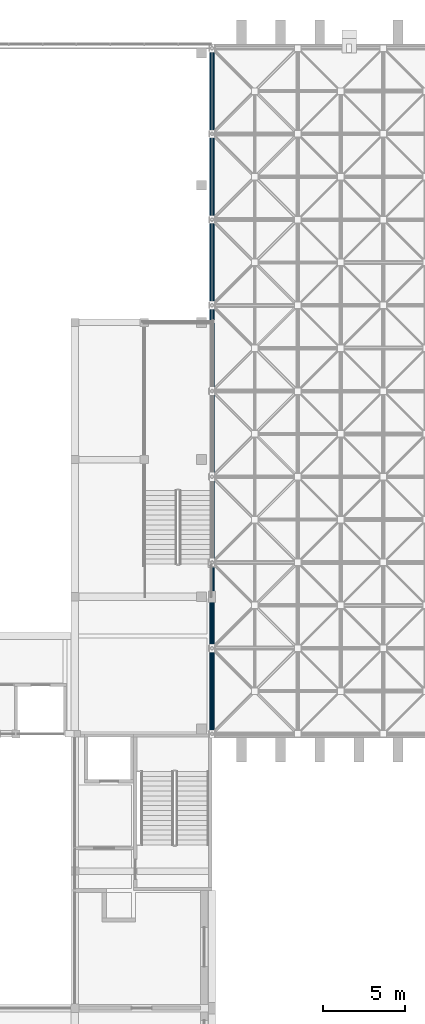
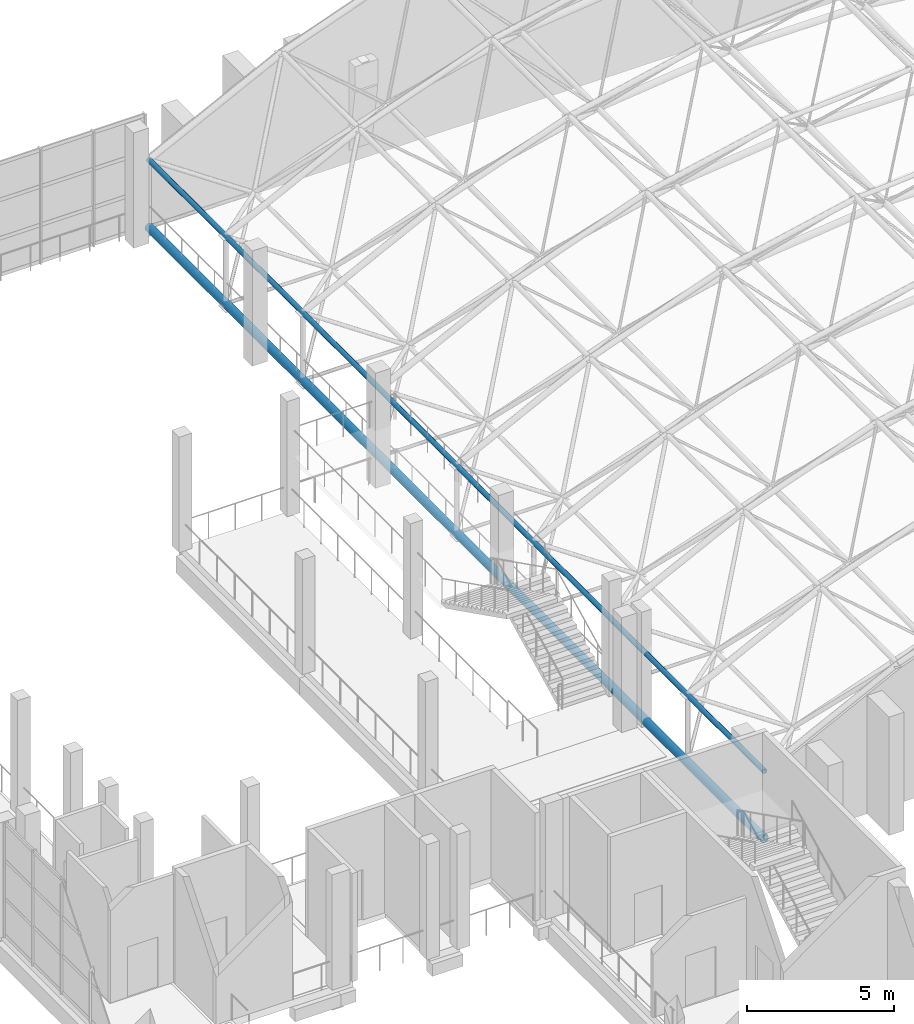
# One storey, part 11 of 100: 2 members.
"""IFC4 building model written with IfcOpenShell, lengths in metres."""

from ifc_helpers import new_model, si_unit, direction, frame, origin, origin_2d, place, context, subcontext, project, spatial, hollow_circle, extrude, material, material_profile, profile_set, type_object, element, save


model = new_model("IFC4")

# Units and contexts
model_context = context("Model", 3, precision=1e-05, world=origin(), true_north=direction((0.0, 1.0)))
body_context = subcontext(model_context, "Body", "Model", "MODEL_VIEW")
ifc_project = project(units=[si_unit("LENGTHUNIT", "METRE"), si_unit("AREAUNIT", "SQUARE_METRE"), si_unit("VOLUMEUNIT", "CUBIC_METRE"), si_unit("PLANEANGLEUNIT", "RADIAN"), si_unit("MASSUNIT", "GRAM", prefix="KILO")], contexts=[model_context])

# Site, building, storey
site_placement = place(None, origin())
site = spatial("IfcSite", under=ifc_project, at=site_placement, CompositionType="ELEMENT")
building_placement = place(site_placement, origin())
building = spatial("IfcBuilding", under=site, at=building_placement, Name="Kiln Court Media Centre", CompositionType="ELEMENT")
storey_placement = place(building_placement, frame((0.0, 0.0, 15.0)))
storey = spatial("IfcBuildingStorey", under=building, at=storey_placement, Name="L03", CompositionType="ELEMENT", Elevation=15.0)

# Members
ifc_material_1 = material(Name="Steel ASTM A500 Gr C", Category="steel")
ifc_material_profile_1 = material_profile(ifc_material_1, hollow_circle(Radius=0.096923828125, WallThickness=0.008056640625, at=origin_2d()), Name="CHS 193.7x8.0")
ifc_profile_set_1 = profile_set([ifc_material_profile_1], Name="Steel ASTM A500 Gr C")
member_type_1 = type_object("IfcMemberType", Name="Steel ASTM A500 Gr C CHS 193.7x8.0 space frame chord", PredefinedType="CHORD", material=ifc_profile_set_1)
member_1_placement = place(storey_placement, frame((58.800048828125, 25.199951171875, 3.0), z_axis=(0.0, 1.0, 0.0), x_axis=(-1.0, 0.0, 0.0)))
element("IfcMember", 1, at=member_1_placement, inside=storey, type_object=member_type_1, Name="V1 roof top chord along line 1 space frame chord", PredefinedType="CHORD", context=body_context, shape_type="SweptSolid", body=[
    extrude(hollow_circle(Radius=0.096923828125, WallThickness=0.008056640625, at=origin_2d()), origin(), (0.0, 0.0, 1.0), 42.0),
])
ifc_material_2 = material(Name="Steel ASTM A500 Gr C", Category="steel")
ifc_material_profile_2 = material_profile(ifc_material_2, hollow_circle(Radius=0.161865234375, WallThickness=0.012451171875, at=origin_2d()), Name="CHS 323.9x12.5")
ifc_profile_set_2 = profile_set([ifc_material_profile_2], Name="Steel ASTM A500 Gr C")
member_type_2 = type_object("IfcMemberType", Name="Steel ASTM A500 Gr C CHS 323.9x12.5 space frame chord", PredefinedType="CHORD", material=ifc_profile_set_2)
member_2_placement = place(storey_placement, frame((58.800048828125, 25.199951171875, 0.18994140625), z_axis=(0.0, 1.0, 0.0), x_axis=(-1.0, 0.0, 0.0)))
element("IfcMember", 2, at=member_2_placement, inside=storey, type_object=member_type_2, Name="V1 roof bearing chord first side space frame chord", PredefinedType="CHORD", context=body_context, shape_type="SweptSolid", body=[
    extrude(hollow_circle(Radius=0.161865234375, WallThickness=0.012451171875, at=origin_2d()), origin(), (0.0, 0.0, 1.0), 42.0),
])

save(model, "model.ifc")
